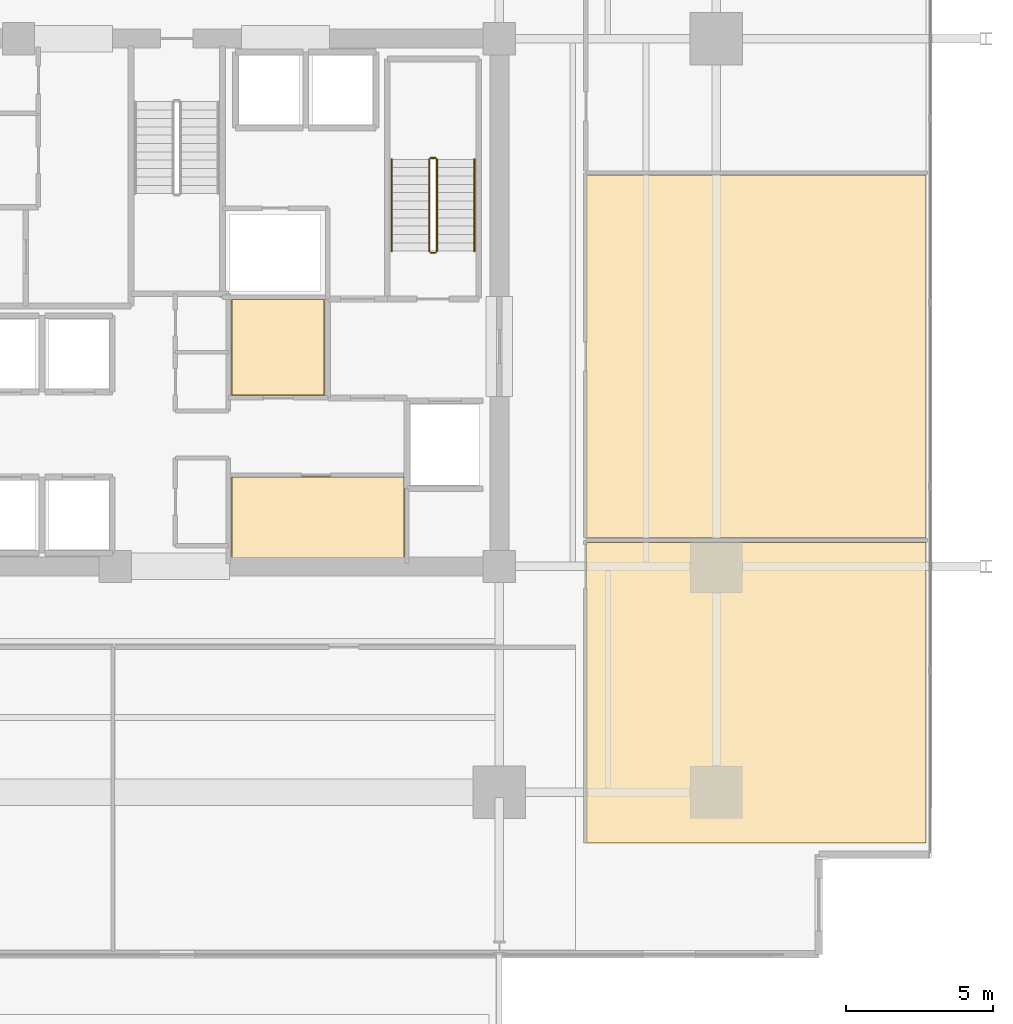
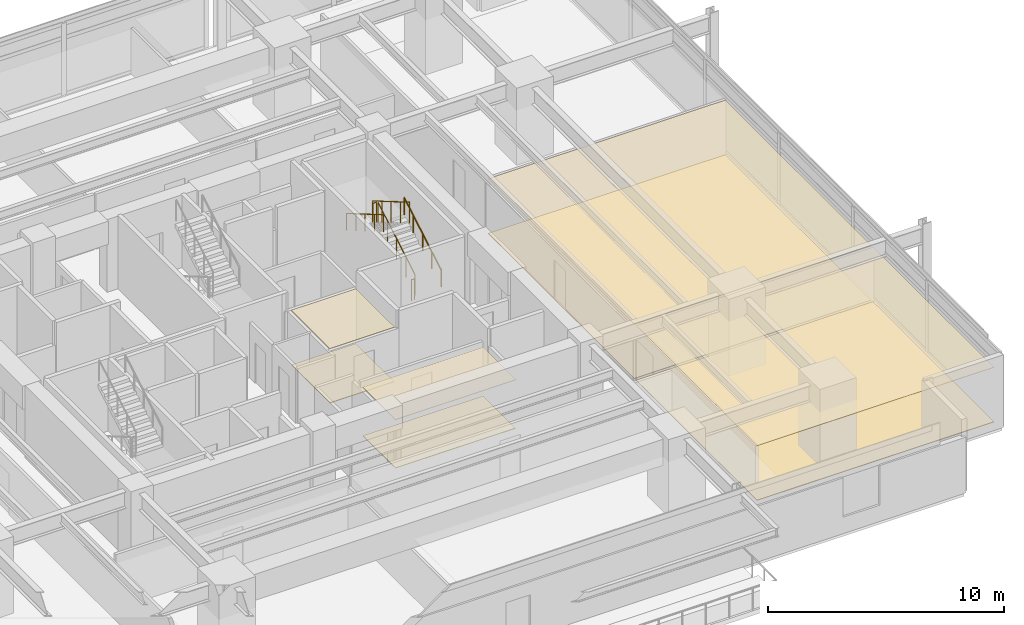
# One storey, part 21 of 23: 8 coverings, 6 railings.
"""IFC4 building model written with IfcOpenShell, lengths in metres."""

from ifc_helpers import new_model, si_unit, direction, frame, origin, origin_2d, place, context, subcontext, project, spatial, polyline, circle, outline, extrude, material, layer, layer_set, type_object, element, save


model = new_model("IFC4")

# Units and contexts
model_context = context("Model", 3, precision=1e-05, world=origin(), true_north=direction((0.0, 1.0)))
body_context = subcontext(model_context, "Body", "Model", "MODEL_VIEW")
ifc_project = project(units=[si_unit("LENGTHUNIT", "METRE"), si_unit("AREAUNIT", "SQUARE_METRE"), si_unit("VOLUMEUNIT", "CUBIC_METRE"), si_unit("PLANEANGLEUNIT", "RADIAN"), si_unit("MASSUNIT", "GRAM", prefix="KILO")], contexts=[model_context])

# Site, building, storey
site_placement = place(None, origin())
site = spatial("IfcSite", under=ifc_project, at=site_placement, CompositionType="ELEMENT")
building_placement = place(site_placement, origin())
building = spatial("IfcBuilding", under=site, at=building_placement, Name="Kovane Verandah Tower", CompositionType="ELEMENT")
storey_placement = place(building_placement, frame((0.0, 0.0, 55.60009765625)))
storey = spatial("IfcBuildingStorey", under=building, at=storey_placement, Name="L12", CompositionType="ELEMENT", Elevation=55.60009765625)

# Coverings
ifc_material_1 = material(Name="Perforated Acoustic Mineral-Fibre Ceiling Tile", Category="gypsum")
ifc_layer_1 = layer(ifc_material_1, 0.02490234375)
ifc_layer_set_1 = layer_set([ifc_layer_1], Name="Perforated Acoustic Mineral-Fibre Ceiling Tile")
covering_type_1 = type_object("IfcCoveringType", Name="CV-CEIL-25", PredefinedType="CEILING", material=ifc_layer_set_1)
covering_1_placement = place(storey_placement, frame((0.0, 0.0, 2.514892578125)))
element("IfcCovering", 1, at=covering_1_placement, inside=storey, type_object=covering_type_1, Name="L12 Records Vault Room Acoustic Ceiling", PredefinedType="CEILING", context=body_context, shape_type="SweptSolid", body=[
    extrude(outline(polyline([(41.864990234375, 18.784912109375), (47.764892578125, 18.784912109375), (47.764892578125, 21.56494140625), (41.864990234375, 21.56494140625), (41.864990234375, 18.784912109375)])), origin(), (0.0, 0.0, 1.0), 0.02490234375),
])
covering_2_placement = place(storey_placement, frame((0.0, 0.0, 2.824951171875)))
element("IfcCovering", 2, at=covering_2_placement, inside=storey, type_object=covering_type_1, Name="L12 Document Archive Room Acoustic Ceiling", PredefinedType="CEILING", context=body_context, shape_type="SweptSolid", body=[
    extrude(outline(polyline([(41.864990234375, 24.3349609375), (45.034912109375, 24.3349609375), (45.034912109375, 27.614990234375), (41.864990234375, 27.614990234375), (41.864990234375, 24.3349609375)])), origin(), (0.0, 0.0, 1.0), 0.02490234375),
])
covering_3_placement = place(storey_placement, frame((0.0, 0.0, 2.824951171875)))
element("IfcCovering", 3, at=covering_3_placement, inside=storey, type_object=covering_type_1, Name="L12 Client Boardroom E1 Acoustic Ceiling", PredefinedType="CEILING", context=body_context, shape_type="SweptSolid", body=[
    extrude(outline(polyline([(53.949951171875, 9.07275390625), (65.5458984375, 9.07275390625), (65.5458984375, 19.322021484375), (53.949951171875, 19.322021484375), (53.949951171875, 9.07275390625)])), origin(), (0.0, 0.0, 1.0), 0.02490234375),
])
covering_4_placement = place(storey_placement, frame((0.0, 0.0, 2.824951171875)))
element("IfcCovering", 4, at=covering_4_placement, inside=storey, type_object=covering_type_1, Name="L12 Meeting Room E2 Acoustic Ceiling", PredefinedType="CEILING", context=body_context, shape_type="SweptSolid", body=[
    extrude(outline(polyline([(53.949951171875, 19.4619140625), (65.5458984375, 19.4619140625), (65.5458984375, 31.8525390625), (53.949951171875, 31.8525390625), (53.949951171875, 19.4619140625)])), origin(), (0.0, 0.0, 1.0), 0.02490234375),
])
ifc_material_2 = material(Name="Polished Terrazzo and Raised-Access Carpet Tile Finish", Category="concrete")
ifc_layer_2 = layer(ifc_material_2, 0.030029296875)
ifc_layer_set_2 = layer_set([ifc_layer_2], Name="Polished Terrazzo and Raised-Access Carpet Tile Finish")
covering_type_2 = type_object("IfcCoveringType", Name="CV-FLOR-30", PredefinedType="FLOORING", material=ifc_layer_set_2)
covering_5_placement = place(storey_placement, origin())
element("IfcCovering", 5, at=covering_5_placement, inside=storey, type_object=covering_type_2, Name="L12 Records Vault Room Floor Finish", PredefinedType="FLOORING", context=body_context, shape_type="SweptSolid", body=[
    extrude(outline(polyline([(41.8798828125, 18.800048828125), (47.75, 18.800048828125), (47.75, 21.550048828125), (41.8798828125, 21.550048828125), (41.8798828125, 18.800048828125)])), origin(), (0.0, 0.0, 1.0), 0.02978515625),
])
covering_6_placement = place(storey_placement, origin())
element("IfcCovering", 6, at=covering_6_placement, inside=storey, type_object=covering_type_2, Name="L12 Document Archive Room Floor Finish", PredefinedType="FLOORING", context=body_context, shape_type="SweptSolid", body=[
    extrude(outline(polyline([(41.8798828125, 24.35009765625), (45.02001953125, 24.35009765625), (45.02001953125, 27.60009765625), (41.8798828125, 27.60009765625), (41.8798828125, 24.35009765625)])), origin(), (0.0, 0.0, 1.0), 0.02978515625),
])
covering_7_placement = place(storey_placement, origin())
element("IfcCovering", 7, at=covering_7_placement, inside=storey, type_object=covering_type_2, Name="L12 Client Boardroom E1 Floor Finish", PredefinedType="FLOORING", context=body_context, shape_type="SweptSolid", body=[
    extrude(outline(polyline([(53.949951171875, 9.07275390625), (65.5458984375, 9.07275390625), (65.5458984375, 19.322021484375), (53.949951171875, 19.322021484375), (53.949951171875, 9.07275390625)])), origin(), (0.0, 0.0, 1.0), 0.02978515625),
])
covering_8_placement = place(storey_placement, origin())
element("IfcCovering", 8, at=covering_8_placement, inside=storey, type_object=covering_type_2, Name="L12 Meeting Room E2 Floor Finish", PredefinedType="FLOORING", context=body_context, shape_type="SweptSolid", body=[
    extrude(outline(polyline([(53.949951171875, 19.4619140625), (65.5458984375, 19.4619140625), (65.5458984375, 31.8525390625), (53.949951171875, 31.8525390625), (53.949951171875, 19.4619140625)])), origin(), (0.0, 0.0, 1.0), 0.02978515625),
])

# Railings
ifc_material_3 = material(Name="Brushed Stainless Steel Handrail", Category="steel")
railing_type_1 = type_object("IfcRailingType", Name="RL-HAND-920", PredefinedType="HANDRAIL", material=ifc_material_3)
railing_1_placement = place(storey_placement, frame((50.14990234375, 29.25, 0.16650390625)))
element("IfcRailing", 9, at=railing_1_placement, inside=storey, type_object=railing_type_1, Name="L12 ST-02 stair handrail 1", PredefinedType="HANDRAIL", context=body_context, shape_type="SweptSolid", body=[
    extrude(circle(Radius=0.02392578125, at=origin_2d()), frame((0.0, 0.0, 0.8759765625), z_axis=(0.0, 0.863210265497, 0.504844567704), x_axis=(-1.0, 0.0, 0.0)), (0.0, 0.0, 1.0), 3.6318359375),
    extrude(circle(Radius=0.02099609375, at=origin_2d()), origin(), (0.0, 0.0, 1.0), 0.851806640625),
    extrude(circle(Radius=0.02099609375, at=origin_2d()), frame((0.0, 0.78369140625, 0.45849609375)), (0.0, 0.0, 1.0), 0.851806640625),
    extrude(circle(Radius=0.02099609375, at=origin_2d()), frame((0.0, 1.5673828125, 0.916748046875)), (0.0, 0.0, 1.0), 0.851806640625),
    extrude(circle(Radius=0.02099609375, at=origin_2d()), frame((0.0, 2.351318359375, 1.375)), (0.0, 0.0, 1.0), 0.851806640625),
    extrude(circle(Radius=0.02099609375, at=origin_2d()), frame((0.0, 3.135009765625, 1.83349609375)), (0.0, 0.0, 1.0), 0.851806640625),
])
railing_2_placement = place(storey_placement, frame((47.330078125, 32.385009765625, 2.16650390625)))
element("IfcRailing", 10, at=railing_2_placement, inside=storey, type_object=railing_type_1, Name="L12 ST-02 stair handrail 2", PredefinedType="HANDRAIL", context=body_context, shape_type="SweptSolid", body=[
    extrude(circle(Radius=0.02392578125, at=origin_2d()), frame((0.0, 0.0, 0.8759765625), z_axis=(0.0, -0.863210265497, 0.504844567704), x_axis=(1.0, 0.0, 0.0)), (0.0, 0.0, 1.0), 3.6318359375),
    extrude(circle(Radius=0.02099609375, at=origin_2d()), origin(), (0.0, 0.0, 1.0), 0.851806640625),
    extrude(circle(Radius=0.02099609375, at=origin_2d()), frame((0.0, -0.78369140625, 0.45849609375)), (0.0, 0.0, 1.0), 0.851806640625),
    extrude(circle(Radius=0.02099609375, at=origin_2d()), frame((0.0, -1.5673828125, 0.916748046875)), (0.0, 0.0, 1.0), 0.851806640625),
    extrude(circle(Radius=0.02099609375, at=origin_2d()), frame((0.0, -2.351318359375, 1.375)), (0.0, 0.0, 1.0), 0.851806640625),
    extrude(circle(Radius=0.02099609375, at=origin_2d()), frame((0.0, -3.135009765625, 1.83349609375)), (0.0, 0.0, 1.0), 0.851806640625),
])
ifc_material_4 = material(Name="Painted Steel Stairwell Guardrail", Category="steel")
railing_type_2 = type_object("IfcRailingType", Name="RL-STGUARD-1120", PredefinedType="GUARDRAIL", material=ifc_material_4)
railing_3_placement = place(storey_placement, frame((48.8701171875, 29.25, 0.16650390625)))
element("IfcRailing", 11, at=railing_3_placement, inside=storey, type_object=railing_type_2, Name="L12 ST-02 stair guard 1", PredefinedType="GUARDRAIL", context=body_context, shape_type="SweptSolid", body=[
    extrude(circle(Radius=0.02392578125, at=origin_2d()), frame((0.0, 0.0, 1.076171875), z_axis=(0.0, 0.863210265497, 0.504844567704), x_axis=(-1.0, 0.0, 0.0)), (0.0, 0.0, 1.0), 3.6318359375),
    extrude(circle(Radius=0.02099609375, at=origin_2d()), origin(), (0.0, 0.0, 1.0), 1.052001953125),
    extrude(circle(Radius=0.02099609375, at=origin_2d()), frame((0.0, 0.78369140625, 0.45849609375)), (0.0, 0.0, 1.0), 1.052001953125),
    extrude(circle(Radius=0.02099609375, at=origin_2d()), frame((0.0, 1.5673828125, 0.916748046875)), (0.0, 0.0, 1.0), 1.052001953125),
    extrude(circle(Radius=0.02099609375, at=origin_2d()), frame((0.0, 2.351318359375, 1.375)), (0.0, 0.0, 1.0), 1.052001953125),
    extrude(circle(Radius=0.02099609375, at=origin_2d()), frame((0.0, 3.135009765625, 1.83349609375)), (0.0, 0.0, 1.0), 1.052001953125),
])
railing_4_placement = place(storey_placement, frame((48.820068359375, 32.43505859375, 2.0)))
element("IfcRailing", 12, at=railing_4_placement, inside=storey, type_object=railing_type_2, Name="L12 ST-02 stair guard 2", PredefinedType="GUARDRAIL", context=body_context, shape_type="SweptSolid", body=[
    extrude(circle(Radius=0.02392578125, at=origin_2d()), frame((0.0, 0.0, 1.076171875), z_axis=(-1.0, 0.0, 0.0), x_axis=(0.0, -1.0, 0.0)), (0.0, 0.0, 1.0), 0.16015625),
    extrude(circle(Radius=0.02099609375, at=origin_2d()), origin(), (0.0, 0.0, 1.0), 1.052001953125),
    extrude(circle(Radius=0.02099609375, at=origin_2d()), frame((-0.16015625, 0.0, 0.0)), (0.0, 0.0, 1.0), 1.052001953125),
])
railing_5_placement = place(storey_placement, frame((48.610107421875, 32.385009765625, 2.16650390625)))
element("IfcRailing", 13, at=railing_5_placement, inside=storey, type_object=railing_type_2, Name="L12 ST-02 stair guard 3", PredefinedType="GUARDRAIL", context=body_context, shape_type="SweptSolid", body=[
    extrude(circle(Radius=0.02392578125, at=origin_2d()), frame((0.0, 0.0, 1.076171875), z_axis=(0.0, -0.863210265497, 0.504844567704), x_axis=(1.0, 0.0, 0.0)), (0.0, 0.0, 1.0), 3.6318359375),
    extrude(circle(Radius=0.02099609375, at=origin_2d()), origin(), (0.0, 0.0, 1.0), 1.052001953125),
    extrude(circle(Radius=0.02099609375, at=origin_2d()), frame((0.0, -0.78369140625, 0.45849609375)), (0.0, 0.0, 1.0), 1.052001953125),
    extrude(circle(Radius=0.02099609375, at=origin_2d()), frame((0.0, -1.5673828125, 0.916748046875)), (0.0, 0.0, 1.0), 1.052001953125),
    extrude(circle(Radius=0.02099609375, at=origin_2d()), frame((0.0, -2.351318359375, 1.375)), (0.0, 0.0, 1.0), 1.052001953125),
    extrude(circle(Radius=0.02099609375, at=origin_2d()), frame((0.0, -3.135009765625, 1.83349609375)), (0.0, 0.0, 1.0), 1.052001953125),
])
railing_6_placement = place(storey_placement, frame((48.820068359375, 29.199951171875, 0.0)))
element("IfcRailing", 14, at=railing_6_placement, inside=storey, type_object=railing_type_2, Name="L12 ST-02 stair guard 4", PredefinedType="GUARDRAIL", context=body_context, shape_type="SweptSolid", body=[
    extrude(circle(Radius=0.02392578125, at=origin_2d()), frame((0.0, 0.0, 1.076171875), z_axis=(-1.0, 0.0, 0.0), x_axis=(0.0, -1.0, 0.0)), (0.0, 0.0, 1.0), 0.16015625),
    extrude(circle(Radius=0.02099609375, at=origin_2d()), origin(), (0.0, 0.0, 1.0), 1.052001953125),
    extrude(circle(Radius=0.02099609375, at=origin_2d()), frame((-0.16015625, 0.0, 0.0)), (0.0, 0.0, 1.0), 1.052001953125),
])

save(model, "model.ifc")
